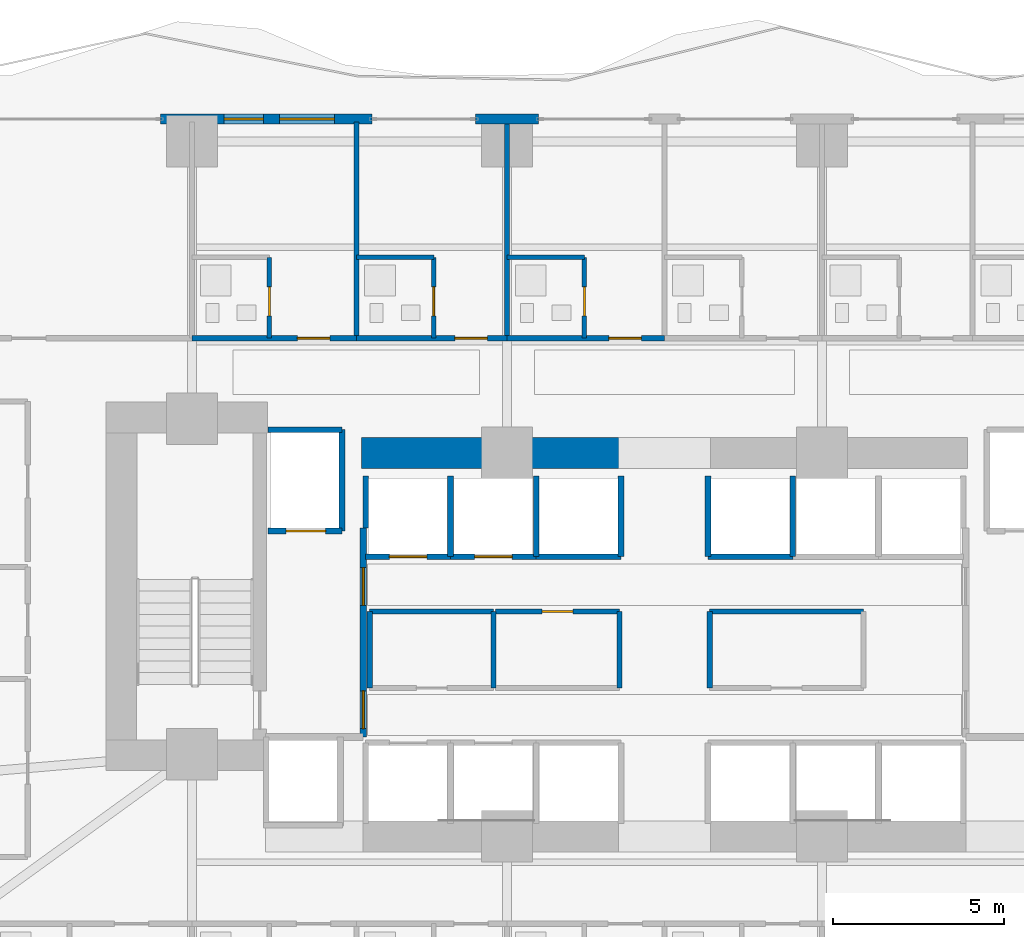
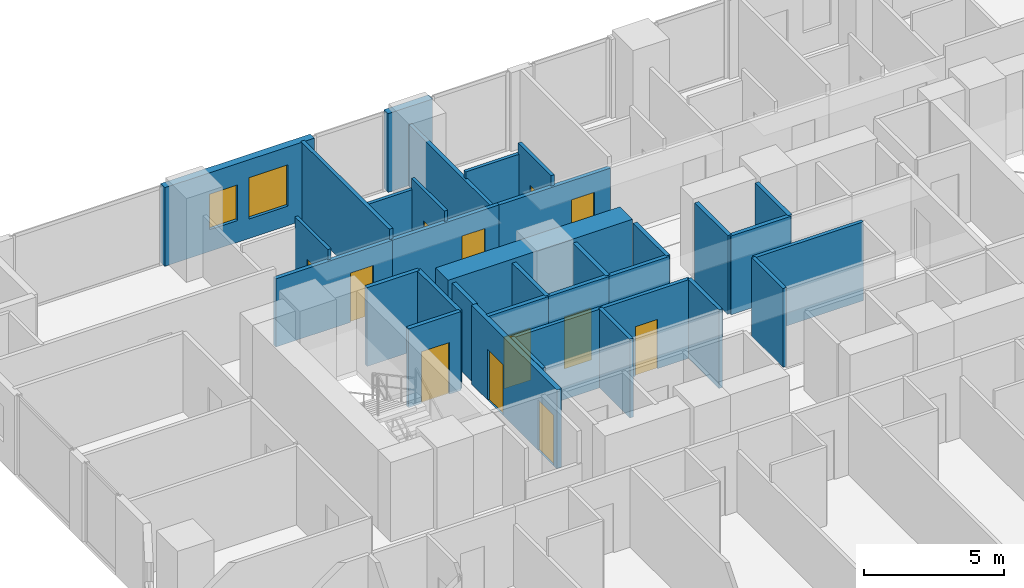
# One storey, part 22 of 29: 34 walls, 12 doors, 2 windows, 14 openings.
"""IFC4 building model written with IfcOpenShell, lengths in metres."""

from ifc_helpers import new_model, si_unit, direction, frame, frame_2d, origin, place, context, subcontext, project, spatial, rectangle, extrude, material, layer, layer_set, type_object, element, fill, save


model = new_model("IFC4")

# Units and contexts
model_context = context("Model", 3, precision=1e-05, world=origin(), true_north=direction((0.0, 1.0)))
body_context = subcontext(model_context, "Body", "Model", "MODEL_VIEW")
ifc_project = project(units=[si_unit("LENGTHUNIT", "METRE"), si_unit("AREAUNIT", "SQUARE_METRE"), si_unit("VOLUMEUNIT", "CUBIC_METRE"), si_unit("PLANEANGLEUNIT", "RADIAN"), si_unit("MASSUNIT", "GRAM", prefix="KILO")], contexts=[model_context])

# Site, building, storey
site_placement = place(None, origin())
site = spatial("IfcSite", under=ifc_project, at=site_placement, CompositionType="ELEMENT")
building_placement = place(site_placement, origin())
building = spatial("IfcBuilding", under=site, at=building_placement, Name="Zuhayl Quay Hotel", CompositionType="ELEMENT")
storey_placement = place(building_placement, frame((0.0, 0.0, 64.10009765625)))
storey = spatial("IfcBuildingStorey", under=building, at=storey_placement, Name="L15", CompositionType="ELEMENT", Elevation=64.10009765625)

# Wall
ifc_material_1 = material(Name="Concrete C70/85", Category="concrete")
ifc_layer_1 = layer(ifc_material_1, 0.89990234375, Name="Concrete C70/85", Category="concrete")
ifc_layer_set_1 = layer_set([ifc_layer_1], Name="Concrete C70/85")
wall_type_1 = type_object("IfcWallType", Name="WL_CORE_900", PredefinedType="SHEAR", material=ifc_layer_set_1)
wall_1_placement = place(storey_placement, frame((-8.85009765625, 13.35009765625, 0.0), z_axis=(0.0, 0.0, 1.0), x_axis=(1.0, 0.0, 0.0)))
element("IfcWall", 1, at=wall_1_placement, inside=storey, type_object=wall_type_1, Name="L15 Core Shear Wall CW_NC_W", PredefinedType="SHEAR", context=body_context, shape_type="SweptSolid", body=[
    extrude(rectangle(XDim=7.60009765625, YDim=0.89990234375, at=frame_2d((3.800048828125, 0.0))), origin(), (0.0, 0.0, 1.0), 3.429931640625),
])

# Wall, openings, windows
ifc_material_2 = material(Name="Precast concrete C45/55", Category="concrete")
ifc_layer_2 = layer(ifc_material_2, 0.300048828125, Name="Precast concrete C45/55", Category="concrete")
ifc_layer_set_2 = layer_set([ifc_layer_2], Name="Precast concrete C45/55")
wall_type_2 = type_object("IfcWallType", Name="WL_EXT_300", PredefinedType="STANDARD", material=ifc_layer_set_2)
wall_2_placement = place(storey_placement, frame((-14.719970703125, 23.10009765625, 0.0), z_axis=(0.0, 0.0, 1.0), x_axis=(1.0, 0.0, 0.0)))
wall_2 = element("IfcWall", 2, at=wall_2_placement, inside=storey, type_object=wall_type_2, Name="L15 Exterior Precast Wall ENV_L15_N_EW2", PredefinedType="STANDARD", context=body_context, shape_type="SweptSolid", body=[
    extrude(rectangle(XDim=6.169921875, YDim=0.300048828125, at=frame_2d((3.0849609375, 0.0))), origin(), (0.0, 0.0, 1.0), 3.429931640625),
])
opening_1_placement = place(wall_2_placement, frame((3.47998046875, 0.0, 0.85009765625)))
opening_1 = element("IfcOpeningElement", 3, at=opening_1_placement, cuts=wall_2, Name="Opening W01", PredefinedType="OPENING", context=body_context, shape_type="SweptSolid", body=[
    extrude(rectangle(XDim=1.60009765625, YDim=1.800048828125, at=frame_2d((0.800048828125, 0.89990234375))), frame((0.0, 0.159912109375, 0.0), z_axis=(0.0, -1.0, 0.0), x_axis=(1.0, 0.0, 0.0)), (0.0, 0.0, 1.0), 0.320068359375),
])
opening_2_placement = place(wall_2_placement, frame((1.85009765625, 0.0, 0.949951171875)))
opening_2 = element("IfcOpeningElement", 4, at=opening_2_placement, cuts=wall_2, Name="Opening W01N", PredefinedType="OPENING", context=body_context, shape_type="SweptSolid", body=[
    extrude(rectangle(XDim=1.14990234375, YDim=1.550048828125, at=frame_2d((0.574951171875, 0.77490234375))), frame((0.0, 0.159912109375, 0.0), z_axis=(0.0, -1.0, 0.0), x_axis=(1.0, 0.0, 0.0)), (0.0, 0.0, 1.0), 0.320068359375),
])
ifc_material_3 = material(Name="Dark Ceramic-Fritted Solar Glass", Category="glass")
window_type_1 = type_object("IfcWindowType", Name="WN_NOTCH_1350", PartitioningType="SINGLE_PANEL", PredefinedType="WINDOW", material=ifc_material_3)
window_1_placement = place(opening_2_placement, origin())
window_1 = element("IfcWindow", 5, at=window_1_placement, inside=storey, type_object=window_type_1, Name="L15 Operable Facade Window 2-1", OverallHeight=1.550048828125, OverallWidth=1.14990234375, PartitioningType="SINGLE_PANEL", PredefinedType="WINDOW", context=body_context, shape_type="SweptSolid", body=[
    extrude(rectangle(XDim=1.14990234375, YDim=1.550048828125, at=frame_2d((0.574951171875, 0.77490234375))), frame((0.0, 0.030029296875, 0.0), z_axis=(0.0, -1.0, 0.0), x_axis=(1.0, 0.0, 0.0)), (0.0, 0.0, 1.0), 0.06005859375),
])
fill(opening_2, window_1)
window_type_2 = type_object("IfcWindowType", Name="WN_OPERABLE_1600", PartitioningType="DOUBLE_PANEL_VERTICAL", PredefinedType="WINDOW", material=ifc_material_3)
window_2_placement = place(opening_1_placement, origin())
window_2 = element("IfcWindow", 6, at=window_2_placement, inside=storey, type_object=window_type_2, Name="L15 North Operable Casement Window", OverallHeight=1.800048828125, OverallWidth=1.60009765625, PartitioningType="SINGLE_PANEL", PredefinedType="WINDOW", context=body_context, shape_type="SweptSolid", body=[
    extrude(rectangle(XDim=1.60009765625, YDim=1.800048828125, at=frame_2d((0.800048828125, 0.89990234375))), frame((0.0, 0.030029296875, 0.0), z_axis=(0.0, -1.0, 0.0), x_axis=(1.0, 0.0, 0.0)), (0.0, 0.0, 1.0), 0.06005859375),
])
fill(opening_1, window_2)

# Wall
wall_3_placement = place(storey_placement, frame((-5.52001953125, 23.10009765625, 0.0), z_axis=(0.0, 0.0, 1.0), x_axis=(1.0, 0.0, 0.0)))
element("IfcWall", 7, at=wall_3_placement, inside=storey, type_object=wall_type_2, Name="L15 Exterior Precast Wall ENV_L15_N_EW3", PredefinedType="STANDARD", context=body_context, shape_type="SweptSolid", body=[
    extrude(rectangle(XDim=1.840087890625, YDim=0.300048828125, at=frame_2d((0.919921875, 0.0))), origin(), (0.0, 0.0, 1.0), 3.429931640625),
])

# Wall, opening, door
ifc_material_4 = material(Name="Acoustic Gypsum Partition STC-58")
ifc_layer_3 = layer(ifc_material_4, 0.14990234375, Name="Acoustic Gypsum Partition STC-58")
ifc_layer_set_3 = layer_set([ifc_layer_3], Name="Acoustic Gypsum Partition STC-58")
wall_type_3 = type_object("IfcWallType", Name="WL_PART_150", PredefinedType="PARTITIONING", material=ifc_layer_set_3)
wall_4_placement = place(storey_placement, frame((-4.929931640625, 8.719970703125, 0.0), z_axis=(0.0, 0.0, 1.0), x_axis=(1.0, 0.0, 0.0)))
wall_4 = element("IfcWall", 8, at=wall_4_placement, inside=storey, type_object=wall_type_3, Name="L15 Partition IW_L15_CORE_BM_N", PredefinedType="PARTITIONING", context=body_context, shape_type="SweptSolid", body=[
    extrude(rectangle(XDim=3.60986328125, YDim=0.14990234375, at=frame_2d((1.804931640625, 0.0))), origin(), (0.0, 0.0, 1.0), 3.429931640625),
])
opening_3_placement = place(wall_4_placement, frame((1.35498046875, 0.0, 0.0)))
opening_3 = element("IfcOpeningElement", 9, at=opening_3_placement, cuts=wall_4, Name="Opening D06", PredefinedType="OPENING", context=body_context, shape_type="SweptSolid", body=[
    extrude(rectangle(XDim=0.89990234375, YDim=2.14990234375, at=frame_2d((0.449951171875, 1.074951171875))), frame((0.0, 0.0849609375, 0.0), z_axis=(0.0, -1.0, 0.0), x_axis=(1.0, 0.0, 0.0)), (0.0, 0.0, 1.0), 0.169921875),
])
ifc_material_5 = material(Name="Steel ASTM A992 Grade 50", Category="steel")
door_type_1 = type_object("IfcDoorType", Name="DR_INT_900", OperationType="NOTDEFINED", PredefinedType="DOOR", material=ifc_material_5)
door_1_placement = place(opening_3_placement, origin())
door_1 = element("IfcDoor", 10, at=door_1_placement, inside=storey, type_object=door_type_1, Name="L15 Telecom and BMS Closet Door", OperationType="SINGLE_SWING_RIGHT", OverallHeight=2.14990234375, OverallWidth=0.89990234375, PredefinedType="DOOR", context=body_context, shape_type="SweptSolid", body=[
    extrude(rectangle(XDim=0.89990234375, YDim=2.14990234375, at=frame_2d((0.449951171875, 1.074951171875))), frame((0.0, 0.02490234375, 0.0), z_axis=(0.0, -1.0, 0.0), x_axis=(1.0, 0.0, 0.0)), (0.0, 0.0, 1.0), 0.050048828125),
])
fill(opening_3, door_1)

# Walls
wall_5_placement = place(storey_placement, frame((-8.610107421875, 8.719970703125, 0.0), z_axis=(0.0, 0.0, 1.0), x_axis=(1.0, 0.0, 0.0)))
element("IfcWall", 11, at=wall_5_placement, inside=storey, type_object=wall_type_3, Name="L15 Partition IW_L15_CORE_SW_N", PredefinedType="PARTITIONING", context=body_context, shape_type="SweptSolid", body=[
    extrude(rectangle(XDim=3.6201171875, YDim=0.14990234375, at=frame_2d((1.81005859375, 0.0))), origin(), (0.0, 0.0, 1.0), 3.429931640625),
])
for number, where, z_axis, x_axis, name in (
    (12, (-8.610107421875, 6.47998046875, 0.0), (0.0, 0.0, 1.0), (0.0, 1.0, 0.0), "L15 Partition IW_L15_CORE_SW_W"),
    (13, (-4.989990234375, 6.47998046875, 0.0), (0.0, 0.0, 1.0), (0.0, 1.0, 0.0), "L15 Partition IW_L15_CORE_SW_E"),
    (14, (-1.320068359375, 6.47998046875, 0.0), (0.0, 0.0, 1.0), (0.0, 1.0, 0.0), "L15 Partition IW_L15_CORE_BM_E"),
):
    element("IfcWall", number, at=place(storey_placement, frame(where, z_axis=z_axis, x_axis=x_axis)), inside=storey, type_object=wall_type_3, Name=name, PredefinedType="PARTITIONING", context=body_context, shape_type="SweptSolid", body=[
        extrude(rectangle(XDim=2.239990234375, YDim=0.14990234375, at=frame_2d((1.1201171875, 0.0))), origin(), (0.0, 0.0, 1.0), 3.429931640625),
    ])
wall_6_placement = place(storey_placement, frame((1.320068359375, 8.719970703125, 0.0), z_axis=(0.0, 0.0, 1.0), x_axis=(1.0, 0.0, 0.0)))
element("IfcWall", 15, at=wall_6_placement, inside=storey, type_object=wall_type_3, Name="L15 Partition IW_L15_CORE_PN_N", PredefinedType="PARTITIONING", context=body_context, shape_type="SweptSolid", body=[
    extrude(rectangle(XDim=4.489990234375, YDim=0.14990234375, at=frame_2d((2.2451171875, 0.0))), origin(), (0.0, 0.0, 1.0), 3.429931640625),
])
wall_7_placement = place(storey_placement, frame((1.320068359375, 6.47998046875, 0.0), z_axis=(0.0, 0.0, 1.0), x_axis=(0.0, 1.0, 0.0)))
element("IfcWall", 16, at=wall_7_placement, inside=storey, type_object=wall_type_3, Name="L15 Partition IW_L15_CORE_PN_W", PredefinedType="PARTITIONING", context=body_context, shape_type="SweptSolid", body=[
    extrude(rectangle(XDim=2.239990234375, YDim=0.14990234375, at=frame_2d((1.1201171875, 0.0))), origin(), (0.0, 0.0, 1.0), 3.429931640625),
])
wall_8_placement = place(storey_placement, frame((-9.0, 16.699951171875, 0.0), z_axis=(0.0, 0.0, 1.0), x_axis=(0.0, 1.0, 0.0)))
element("IfcWall", 17, at=wall_8_placement, inside=storey, type_object=wall_type_3, Name="L15 Partition IW_L15_NU02_E", PredefinedType="PARTITIONING", context=body_context, shape_type="SweptSolid", body=[
    extrude(rectangle(XDim=6.320068359375, YDim=0.14990234375, at=frame_2d((3.16015625, 0.0))), origin(), (0.0, 0.0, 1.0), 3.429931640625),
])
wall_9_placement = place(storey_placement, frame((-4.60009765625, 16.699951171875, 0.0), z_axis=(0.0, 0.0, 1.0), x_axis=(0.0, 1.0, 0.0)))
element("IfcWall", 18, at=wall_9_placement, inside=storey, type_object=wall_type_3, Name="L15 Partition IW_L15_NU03_E", PredefinedType="PARTITIONING", context=body_context, shape_type="SweptSolid", body=[
    extrude(rectangle(XDim=6.320068359375, YDim=0.14990234375, at=frame_2d((3.16015625, 0.0))), origin(), (0.0, 0.0, 1.0), 2.66796875),
])

# Wall, opening, door
ifc_layer_4 = layer(ifc_material_4, 0.159912109375, Name="Acoustic Gypsum Partition STC-58")
ifc_layer_set_4 = layer_set([ifc_layer_4], Name="Acoustic Gypsum Partition STC-58")
wall_type_4 = type_object("IfcWallType", Name="WL_PART_CORR_160", PredefinedType="PARTITIONING", material=ifc_layer_set_4)
wall_10_placement = place(storey_placement, frame((-13.800048828125, 16.699951171875, 0.0), z_axis=(0.0, 0.0, 1.0), x_axis=(1.0, 0.0, 0.0)))
wall_10 = element("IfcWall", 19, at=wall_10_placement, inside=storey, type_object=wall_type_4, Name="L15 Partition IW_L15_NU02_COR", PredefinedType="PARTITIONING", context=body_context, shape_type="SweptSolid", body=[
    extrude(rectangle(XDim=4.800048828125, YDim=0.159912109375, at=frame_2d((2.39990234375, 0.0))), origin(), (0.0, 0.0, 1.0), 2.972900390625),
])
opening_4_placement = place(wall_10_placement, frame((3.074951171875, 0.0, 0.0)))
opening_4 = element("IfcOpeningElement", 20, at=opening_4_placement, cuts=wall_10, Name="Opening D03", PredefinedType="OPENING", context=body_context, shape_type="SweptSolid", body=[
    extrude(rectangle(XDim=0.949951171875, YDim=2.14990234375, at=frame_2d((0.47509765625, 1.074951171875))), frame((0.0, 0.08984375, 0.0), z_axis=(0.0, -1.0, 0.0), x_axis=(1.0, 0.0, 0.0)), (0.0, 0.0, 1.0), 0.179931640625),
])
ifc_material_6 = material(Name="Solid Walnut Acoustic Fire Door")
door_type_2 = type_object("IfcDoorType", Name="DR_SUITE_950", OperationType="NOTDEFINED", PredefinedType="DOOR", material=ifc_material_6)
door_2_placement = place(opening_4_placement, origin())
door_2 = element("IfcDoor", 21, at=door_2_placement, inside=storey, type_object=door_type_2, Name="L15 Deluxe Gulf Guest Room L15-02 Entrance Door", OperationType="SINGLE_SWING_LEFT", OverallHeight=2.14990234375, OverallWidth=0.949951171875, PredefinedType="DOOR", context=body_context, shape_type="SweptSolid", body=[
    extrude(rectangle(XDim=0.949951171875, YDim=2.14990234375, at=frame_2d((0.47509765625, 1.074951171875))), frame((0.0, 0.02490234375, 0.0), z_axis=(0.0, -1.0, 0.0), x_axis=(1.0, 0.0, 0.0)), (0.0, 0.0, 1.0), 0.050048828125),
])
fill(opening_4, door_2)

wall_11_placement = place(storey_placement, frame((-9.0, 16.699951171875, 0.0), z_axis=(0.0, 0.0, 1.0), x_axis=(1.0, 0.0, 0.0)))
wall_11 = element("IfcWall", 22, at=wall_11_placement, inside=storey, type_object=wall_type_4, Name="L15 Partition IW_L15_NU03_COR", PredefinedType="PARTITIONING", context=body_context, shape_type="SweptSolid", body=[
    extrude(rectangle(XDim=4.39990234375, YDim=0.159912109375, at=frame_2d((2.199951171875, 0.0))), origin(), (0.0, 0.0, 1.0), 2.972900390625),
])
opening_5_placement = place(wall_11_placement, frame((2.875, 0.0, 0.0)))
opening_5 = element("IfcOpeningElement", 23, at=opening_5_placement, cuts=wall_11, Name="Opening D03", PredefinedType="OPENING", context=body_context, shape_type="SweptSolid", body=[
    extrude(rectangle(XDim=0.949951171875, YDim=2.14990234375, at=frame_2d((0.47509765625, 1.074951171875))), frame((0.0, 0.08984375, 0.0), z_axis=(0.0, -1.0, 0.0), x_axis=(1.0, 0.0, 0.0)), (0.0, 0.0, 1.0), 0.179931640625),
])
door_3_placement = place(opening_5_placement, origin())
door_3 = element("IfcDoor", 24, at=door_3_placement, inside=storey, type_object=door_type_2, Name="L15 Deluxe Gulf Guest Room L15-03 Entrance Door", OperationType="SINGLE_SWING_LEFT", OverallHeight=2.14990234375, OverallWidth=0.949951171875, PredefinedType="DOOR", context=body_context, shape_type="SweptSolid", body=[
    extrude(rectangle(XDim=0.949951171875, YDim=2.14990234375, at=frame_2d((0.47509765625, 1.074951171875))), frame((0.0, 0.02490234375, 0.0), z_axis=(0.0, -1.0, 0.0), x_axis=(1.0, 0.0, 0.0)), (0.0, 0.0, 1.0), 0.050048828125),
])
fill(opening_5, door_3)

wall_12_placement = place(storey_placement, frame((-4.60009765625, 16.699951171875, 0.0), z_axis=(0.0, 0.0, 1.0), x_axis=(1.0, 0.0, 0.0)))
wall_12 = element("IfcWall", 25, at=wall_12_placement, inside=storey, type_object=wall_type_4, Name="L15 Partition IW_L15_NU04_COR", PredefinedType="PARTITIONING", context=body_context, shape_type="SweptSolid", body=[
    extrude(rectangle(XDim=4.60009765625, YDim=0.159912109375, at=frame_2d((2.300048828125, 0.0))), origin(), (0.0, 0.0, 1.0), 2.972900390625),
])
opening_6_placement = place(wall_12_placement, frame((2.97509765625, 0.0, 0.0)))
opening_6 = element("IfcOpeningElement", 26, at=opening_6_placement, cuts=wall_12, Name="Opening D03", PredefinedType="OPENING", context=body_context, shape_type="SweptSolid", body=[
    extrude(rectangle(XDim=0.949951171875, YDim=2.14990234375, at=frame_2d((0.47509765625, 1.074951171875))), frame((0.0, 0.08984375, 0.0), z_axis=(0.0, -1.0, 0.0), x_axis=(1.0, 0.0, 0.0)), (0.0, 0.0, 1.0), 0.179931640625),
])
door_4_placement = place(opening_6_placement, origin())
door_4 = element("IfcDoor", 27, at=door_4_placement, inside=storey, type_object=door_type_2, Name="L15 Deluxe Gulf Guest Room L15-04 Entrance Door", OperationType="SINGLE_SWING_LEFT", OverallHeight=2.14990234375, OverallWidth=0.949951171875, PredefinedType="DOOR", context=body_context, shape_type="SweptSolid", body=[
    extrude(rectangle(XDim=0.949951171875, YDim=2.14990234375, at=frame_2d((0.47509765625, 1.074951171875))), frame((0.0, 0.02490234375, 0.0), z_axis=(0.0, -1.0, 0.0), x_axis=(1.0, 0.0, 0.0)), (0.0, 0.0, 1.0), 0.050048828125),
])
fill(opening_6, door_4)

ifc_material_7 = material(Name="Moisture-Resistant Sanitarychase Gypsum")
ifc_layer_5 = layer(ifc_material_7, 0.135009765625, Name="Moisture-Resistant Sanitarychase Gypsum")
ifc_layer_set_5 = layer_set([ifc_layer_5], Name="Moisture-Resistant Sanitarychase Gypsum")
wall_type_5 = type_object("IfcWallType", Name="WL_PART_PLUMB_150", PredefinedType="PLUMBINGWALL", material=ifc_layer_set_5)
wall_13_placement = place(storey_placement, frame((-11.5400390625, 16.699951171875, 0.0), z_axis=(0.0, 0.0, 1.0), x_axis=(0.0, 1.0, 0.0)))
wall_13 = element("IfcWall", 28, at=wall_13_placement, inside=storey, type_object=wall_type_5, Name="L15 Partition IW_L15_NU02_BE", PredefinedType="PLUMBINGWALL", context=body_context, shape_type="SweptSolid", body=[
    extrude(rectangle(XDim=2.360107421875, YDim=0.135009765625, at=frame_2d((1.18017578125, 0.0))), origin(), (0.0, 0.0, 1.0), 3.429931640625),
])
opening_7_placement = place(wall_13_placement, frame((0.64990234375, 0.0, 0.0)))
opening_7 = element("IfcOpeningElement", 29, at=opening_7_placement, cuts=wall_13, Name="Opening D04", PredefinedType="OPENING", context=body_context, shape_type="SweptSolid", body=[
    extrude(rectangle(XDim=0.85009765625, YDim=2.10009765625, at=frame_2d((0.425048828125, 1.050048828125))), frame((0.0, 0.077392578125, 0.0), z_axis=(0.0, -1.0, 0.0), x_axis=(1.0, 0.0, 0.0)), (0.0, 0.0, 1.0), 0.155029296875),
])
ifc_material_8 = material(Name="Moisture-Resistant Walnut Veneer")
door_type_3 = type_object("IfcDoorType", Name="DR_BATH_850", OperationType="NOTDEFINED", PredefinedType="DOOR", material=ifc_material_8)
door_5_placement = place(opening_7_placement, origin())
door_5 = element("IfcDoor", 30, at=door_5_placement, inside=storey, type_object=door_type_3, Name="L15 Deluxe Gulf Guest Room L15-02 En-Suite Door", OperationType="SINGLE_SWING_RIGHT", OverallHeight=2.10009765625, OverallWidth=0.85009765625, PredefinedType="DOOR", context=body_context, shape_type="SweptSolid", body=[
    extrude(rectangle(XDim=0.85009765625, YDim=2.10009765625, at=frame_2d((0.425048828125, 1.050048828125))), frame((0.0, 0.02490234375, 0.0), z_axis=(0.0, -1.0, 0.0), x_axis=(1.0, 0.0, 0.0)), (0.0, 0.0, 1.0), 0.050048828125),
])
fill(opening_7, door_5)

wall_14_placement = place(storey_placement, frame((-6.739990234375, 16.699951171875, 0.0), z_axis=(0.0, 0.0, 1.0), x_axis=(0.0, 1.0, 0.0)))
wall_14 = element("IfcWall", 31, at=wall_14_placement, inside=storey, type_object=wall_type_5, Name="L15 Partition IW_L15_NU03_BE", PredefinedType="PLUMBINGWALL", context=body_context, shape_type="SweptSolid", body=[
    extrude(rectangle(XDim=2.360107421875, YDim=0.135009765625, at=frame_2d((1.18017578125, 0.0))), origin(), (0.0, 0.0, 1.0), 3.429931640625),
])
opening_8_placement = place(wall_14_placement, frame((0.64990234375, 0.0, 0.0)))
opening_8 = element("IfcOpeningElement", 32, at=opening_8_placement, cuts=wall_14, Name="Opening D04", PredefinedType="OPENING", context=body_context, shape_type="SweptSolid", body=[
    extrude(rectangle(XDim=0.85009765625, YDim=2.10009765625, at=frame_2d((0.425048828125, 1.050048828125))), frame((0.0, 0.077392578125, 0.0), z_axis=(0.0, -1.0, 0.0), x_axis=(1.0, 0.0, 0.0)), (0.0, 0.0, 1.0), 0.155029296875),
])
door_6_placement = place(opening_8_placement, origin())
door_6 = element("IfcDoor", 33, at=door_6_placement, inside=storey, type_object=door_type_3, Name="L15 Deluxe Gulf Guest Room L15-03 En-Suite Door", OperationType="SINGLE_SWING_RIGHT", OverallHeight=2.10009765625, OverallWidth=0.85009765625, PredefinedType="DOOR", context=body_context, shape_type="SweptSolid", body=[
    extrude(rectangle(XDim=0.85009765625, YDim=2.10009765625, at=frame_2d((0.425048828125, 1.050048828125))), frame((0.0, 0.02490234375, 0.0), z_axis=(0.0, -1.0, 0.0), x_axis=(1.0, 0.0, 0.0)), (0.0, 0.0, 1.0), 0.050048828125),
])
fill(opening_8, door_6)

wall_15_placement = place(storey_placement, frame((-2.340087890625, 16.699951171875, 0.0), z_axis=(0.0, 0.0, 1.0), x_axis=(0.0, 1.0, 0.0)))
wall_15 = element("IfcWall", 34, at=wall_15_placement, inside=storey, type_object=wall_type_5, Name="L15 Partition IW_L15_NU04_BE", PredefinedType="PLUMBINGWALL", context=body_context, shape_type="SweptSolid", body=[
    extrude(rectangle(XDim=2.360107421875, YDim=0.135009765625, at=frame_2d((1.18017578125, 0.0))), origin(), (0.0, 0.0, 1.0), 3.429931640625),
])
opening_9_placement = place(wall_15_placement, frame((0.64990234375, 0.0, 0.0)))
opening_9 = element("IfcOpeningElement", 35, at=opening_9_placement, cuts=wall_15, Name="Opening D04", PredefinedType="OPENING", context=body_context, shape_type="SweptSolid", body=[
    extrude(rectangle(XDim=0.85009765625, YDim=2.10009765625, at=frame_2d((0.425048828125, 1.050048828125))), frame((0.0, 0.077392578125, 0.0), z_axis=(0.0, -1.0, 0.0), x_axis=(1.0, 0.0, 0.0)), (0.0, 0.0, 1.0), 0.155029296875),
])
door_7_placement = place(opening_9_placement, origin())
door_7 = element("IfcDoor", 36, at=door_7_placement, inside=storey, type_object=door_type_3, Name="L15 Deluxe Gulf Guest Room L15-04 En-Suite Door", OperationType="SINGLE_SWING_RIGHT", OverallHeight=2.10009765625, OverallWidth=0.85009765625, PredefinedType="DOOR", context=body_context, shape_type="SweptSolid", body=[
    extrude(rectangle(XDim=0.85009765625, YDim=2.10009765625, at=frame_2d((0.425048828125, 1.050048828125))), frame((0.0, 0.02490234375, 0.0), z_axis=(0.0, -1.0, 0.0), x_axis=(1.0, 0.0, 0.0)), (0.0, 0.0, 1.0), 0.050048828125),
])
fill(opening_9, door_7)

# Walls
for number, where, z_axis, x_axis, name in (
    (37, (-9.0, 19.06005859375, 0.0), (0.0, 0.0, 1.0), (1.0, 0.0, 0.0), "L15 Partition IW_L15_NU03_BN"),
    (38, (-4.60009765625, 19.06005859375, 0.0), (0.0, 0.0, 1.0), (1.0, 0.0, 0.0), "L15 Partition IW_L15_NU04_BN"),
):
    element("IfcWall", number, at=place(storey_placement, frame(where, z_axis=z_axis, x_axis=x_axis)), inside=storey, type_object=wall_type_5, Name=name, PredefinedType="PLUMBINGWALL", context=body_context, shape_type="SweptSolid", body=[
        extrude(rectangle(XDim=2.260009765625, YDim=0.135009765625, at=frame_2d((1.1298828125, 0.0))), origin(), (0.0, 0.0, 1.0), 2.972900390625),
    ])

# Wall, opening, door
ifc_material_9 = material(Name="Gypsum Fireboard Assembly EI-90")
ifc_layer_6 = layer(ifc_material_9, 0.1650390625, Name="Gypsum Fireboard Assembly EI-90")
ifc_layer_set_6 = layer_set([ifc_layer_6], Name="Gypsum Fireboard Assembly EI-90")
wall_type_6 = type_object("IfcWallType", Name="WL_PART_SHAFT_160", PredefinedType="PARTITIONING", material=ifc_layer_set_6)
wall_16_placement = place(storey_placement, frame((-11.580078125, 11.070068359375, 0.0), z_axis=(0.0, 0.0, 1.0), x_axis=(1.0, 0.0, 0.0)))
wall_16 = element("IfcWall", 39, at=wall_16_placement, inside=storey, type_object=wall_type_6, Name="L15 Partition IW_L15_SH_FL1_F", PredefinedType="PARTITIONING", context=body_context, shape_type="SweptSolid", body=[
    extrude(rectangle(XDim=2.16015625, YDim=0.1650390625, at=frame_2d((1.080078125, 0.0))), origin(), (0.0, 0.0, 1.0), 3.429931640625),
])
opening_10_placement = place(wall_16_placement, frame((0.530029296875, 0.0, 0.0)))
opening_10 = element("IfcOpeningElement", 40, at=opening_10_placement, cuts=wall_16, Name="Opening LD2", PredefinedType="OPENING", context=body_context, shape_type="SweptSolid", body=[
    extrude(rectangle(XDim=1.14990234375, YDim=2.25, at=frame_2d((0.574951171875, 1.125))), frame((0.0, 0.092529296875, 0.0), z_axis=(0.0, -1.0, 0.0), x_axis=(1.0, 0.0, 0.0)), (0.0, 0.0, 1.0), 0.18505859375),
])
ifc_material_10 = material(Name="Brushed Stainless Steel", Category="steel")
door_type_4 = type_object("IfcDoorType", Name="DR_LIFT_FF_1100", OperationType="SLIDING_TO_LEFT", PredefinedType="DOOR", material=ifc_material_10)
door_8_placement = place(opening_10_placement, origin())
door_8 = element("IfcDoor", 41, at=door_8_placement, inside=storey, type_object=door_type_4, Name="L15 Lift FL1 Sliding Landing Door", OperationType="SLIDING_TO_LEFT", OverallHeight=2.25, OverallWidth=1.14990234375, PredefinedType="DOOR", context=body_context, shape_type="SweptSolid", body=[
    extrude(rectangle(XDim=1.14990234375, YDim=2.25, at=frame_2d((0.574951171875, 1.125))), frame((0.0, 0.02490234375, 0.0), z_axis=(0.0, -1.0, 0.0), x_axis=(1.0, 0.0, 0.0)), (0.0, 0.0, 1.0), 0.050048828125),
])
fill(opening_10, door_8)

wall_17_placement = place(storey_placement, frame((-8.72998046875, 10.320068359375, 0.0), z_axis=(0.0, 0.0, 1.0), x_axis=(1.0, 0.0, 0.0)))
wall_17 = element("IfcWall", 42, at=wall_17_placement, inside=storey, type_object=wall_type_6, Name="L15 Partition IW_L15_SH_LP3_F", PredefinedType="PARTITIONING", context=body_context, shape_type="SweptSolid", body=[
    extrude(rectangle(XDim=2.47998046875, YDim=0.1650390625, at=frame_2d((1.239990234375, 0.0))), origin(), (0.0, 0.0, 1.0), 3.429931640625),
])
opening_11_placement = place(wall_17_placement, frame((0.68994140625, 0.0, 0.0)))
opening_11 = element("IfcOpeningElement", 43, at=opening_11_placement, cuts=wall_17, Name="Opening LD1", PredefinedType="OPENING", context=body_context, shape_type="SweptSolid", body=[
    extrude(rectangle(XDim=1.10009765625, YDim=2.25, at=frame_2d((0.550048828125, 1.125))), frame((0.0, 0.092529296875, 0.0), z_axis=(0.0, -1.0, 0.0), x_axis=(1.0, 0.0, 0.0)), (0.0, 0.0, 1.0), 0.18505859375),
])
door_type_5 = type_object("IfcDoorType", Name="DR_LIFT_PASS_1100", OperationType="SLIDING_TO_LEFT", PredefinedType="DOOR", material=ifc_material_10)
door_9_placement = place(opening_11_placement, origin())
door_9 = element("IfcDoor", 44, at=door_9_placement, inside=storey, type_object=door_type_5, Name="L15 Lift LP3 Sliding Landing Door", OperationType="SLIDING_TO_LEFT", OverallHeight=2.25, OverallWidth=1.10009765625, PredefinedType="DOOR", context=body_context, shape_type="SweptSolid", body=[
    extrude(rectangle(XDim=1.10009765625, YDim=2.25, at=frame_2d((0.550048828125, 1.125))), frame((0.0, 0.02490234375, 0.0), z_axis=(0.0, -1.0, 0.0), x_axis=(1.0, 0.0, 0.0)), (0.0, 0.0, 1.0), 0.050048828125),
])
fill(opening_11, door_9)

wall_18_placement = place(storey_placement, frame((-6.25, 10.320068359375, 0.0), z_axis=(0.0, 0.0, 1.0), x_axis=(1.0, 0.0, 0.0)))
wall_18 = element("IfcWall", 45, at=wall_18_placement, inside=storey, type_object=wall_type_6, Name="L15 Partition IW_L15_SH_LP4_F", PredefinedType="PARTITIONING", context=body_context, shape_type="SweptSolid", body=[
    extrude(rectangle(XDim=2.5, YDim=0.1650390625, at=frame_2d((1.25, 0.0))), origin(), (0.0, 0.0, 1.0), 3.429931640625),
])
opening_12_placement = place(wall_18_placement, frame((0.699951171875, 0.0, 0.0)))
opening_12 = element("IfcOpeningElement", 46, at=opening_12_placement, cuts=wall_18, Name="Opening LD1", PredefinedType="OPENING", context=body_context, shape_type="SweptSolid", body=[
    extrude(rectangle(XDim=1.10009765625, YDim=2.25, at=frame_2d((0.550048828125, 1.125))), frame((0.0, 0.092529296875, 0.0), z_axis=(0.0, -1.0, 0.0), x_axis=(1.0, 0.0, 0.0)), (0.0, 0.0, 1.0), 0.18505859375),
])
door_10_placement = place(opening_12_placement, origin())
door_10 = element("IfcDoor", 47, at=door_10_placement, inside=storey, type_object=door_type_5, Name="L15 Lift LP4 Sliding Landing Door", OperationType="SLIDING_TO_LEFT", OverallHeight=2.25, OverallWidth=1.10009765625, PredefinedType="DOOR", context=body_context, shape_type="SweptSolid", body=[
    extrude(rectangle(XDim=1.10009765625, YDim=2.25, at=frame_2d((0.550048828125, 1.125))), frame((0.0, 0.02490234375, 0.0), z_axis=(0.0, -1.0, 0.0), x_axis=(1.0, 0.0, 0.0)), (0.0, 0.0, 1.0), 0.050048828125),
])
fill(opening_12, door_10)

# Walls
wall_19_placement = place(storey_placement, frame((-9.419921875, 11.070068359375, 0.0), z_axis=(0.0, 0.0, 1.0), x_axis=(0.0, 1.0, 0.0)))
element("IfcWall", 48, at=wall_19_placement, inside=storey, type_object=wall_type_6, Name="L15 Partition IW_L15_SH_FL1_E", PredefinedType="PARTITIONING", context=body_context, shape_type="SweptSolid", body=[
    extrude(rectangle(XDim=2.9599609375, YDim=0.1650390625, at=frame_2d((1.47998046875, 0.0))), origin(), (0.0, 0.0, 1.0), 3.429931640625),
])
wall_20_placement = place(storey_placement, frame((-11.580078125, 14.030029296875, 0.0), z_axis=(0.0, 0.0, 1.0), x_axis=(1.0, 0.0, 0.0)))
element("IfcWall", 49, at=wall_20_placement, inside=storey, type_object=wall_type_6, Name="L15 Partition IW_L15_SH_FL1_B", PredefinedType="PARTITIONING", context=body_context, shape_type="SweptSolid", body=[
    extrude(rectangle(XDim=2.16015625, YDim=0.1650390625, at=frame_2d((1.080078125, 0.0))), origin(), (0.0, 0.0, 1.0), 3.429931640625),
])
wall_21_placement = place(storey_placement, frame((-8.72998046875, 11.14990234375, 0.0), z_axis=(0.0, 0.0, 1.0), x_axis=(0.0, 1.0, 0.0)))
element("IfcWall", 50, at=wall_21_placement, inside=storey, type_object=wall_type_6, Name="L15 Partition IW_L15_SH_LP3_W", PredefinedType="PARTITIONING", context=body_context, shape_type="SweptSolid", body=[
    extrude(rectangle(XDim=1.530029296875, YDim=0.1650390625, at=frame_2d((0.76513671875, 0.0))), origin(), (0.0, 0.0, 1.0), 3.429931640625),
])
for number, where, z_axis, x_axis, name in (
    (51, (-6.25, 10.320068359375, 0.0), (0.0, 0.0, 1.0), (0.0, 1.0, 0.0), "L15 Partition IW_L15_SH_LP3_E"),
    (52, (-3.75, 10.320068359375, 0.0), (0.0, 0.0, 1.0), (0.0, 1.0, 0.0), "L15 Partition IW_L15_SH_LP4_E"),
):
    element("IfcWall", number, at=place(storey_placement, frame(where, z_axis=z_axis, x_axis=x_axis)), inside=storey, type_object=wall_type_6, Name=name, PredefinedType="PARTITIONING", context=body_context, shape_type="SweptSolid", body=[
        extrude(rectangle(XDim=2.35986328125, YDim=0.1650390625, at=frame_2d((1.179931640625, 0.0))), origin(), (0.0, 0.0, 1.0), 3.429931640625),
    ])
wall_22_placement = place(storey_placement, frame((-3.75, 10.320068359375, 0.0), z_axis=(0.0, 0.0, 1.0), x_axis=(1.0, 0.0, 0.0)))
element("IfcWall", 53, at=wall_22_placement, inside=storey, type_object=wall_type_6, Name="L15 Partition IW_L15_SH_MP3_F", PredefinedType="PARTITIONING", context=body_context, shape_type="SweptSolid", body=[
    extrude(rectangle(XDim=2.47998046875, YDim=0.1650390625, at=frame_2d((1.239990234375, 0.0))), origin(), (0.0, 0.0, 1.0), 3.429931640625),
])
wall_23_placement = place(storey_placement, frame((-1.27001953125, 10.320068359375, 0.0), z_axis=(0.0, 0.0, 1.0), x_axis=(0.0, 1.0, 0.0)))
element("IfcWall", 54, at=wall_23_placement, inside=storey, type_object=wall_type_6, Name="L15 Partition IW_L15_SH_MP3_E", PredefinedType="PARTITIONING", context=body_context, shape_type="SweptSolid", body=[
    extrude(rectangle(XDim=2.35986328125, YDim=0.1650390625, at=frame_2d((1.179931640625, 0.0))), origin(), (0.0, 0.0, 1.0), 3.429931640625),
])
wall_24_placement = place(storey_placement, frame((1.27001953125, 10.320068359375, 0.0), z_axis=(0.0, 0.0, 1.0), x_axis=(1.0, 0.0, 0.0)))
element("IfcWall", 55, at=wall_24_placement, inside=storey, type_object=wall_type_6, Name="L15 Partition IW_L15_SH_MP4_F", PredefinedType="PARTITIONING", context=body_context, shape_type="SweptSolid", body=[
    extrude(rectangle(XDim=2.47998046875, YDim=0.1650390625, at=frame_2d((1.239990234375, 0.0))), origin(), (0.0, 0.0, 1.0), 3.429931640625),
])
for number, where, z_axis, x_axis, name in (
    (56, (1.27001953125, 10.320068359375, 0.0), (0.0, 0.0, 1.0), (0.0, 1.0, 0.0), "L15 Partition IW_L15_SH_MP4_W"),
    (57, (3.75, 10.320068359375, 0.0), (0.0, 0.0, 1.0), (0.0, 1.0, 0.0), "L15 Partition IW_L15_SH_MP4_E"),
):
    element("IfcWall", number, at=place(storey_placement, frame(where, z_axis=z_axis, x_axis=x_axis)), inside=storey, type_object=wall_type_6, Name=name, PredefinedType="PARTITIONING", context=body_context, shape_type="SweptSolid", body=[
        extrude(rectangle(XDim=2.35986328125, YDim=0.1650390625, at=frame_2d((1.179931640625, 0.0))), origin(), (0.0, 0.0, 1.0), 3.429931640625),
    ])

# Wall, openings, doors
ifc_material_11 = material(Name="Gypsum Fireboard Assembly EI-120")
ifc_layer_7 = layer(ifc_material_11, 0.199951171875, Name="Gypsum Fireboard Assembly EI-120")
ifc_layer_set_7 = layer_set([ifc_layer_7], Name="Gypsum Fireboard Assembly EI-120")
wall_type_7 = type_object("IfcWallType", Name="WL_PART_SHAFT_200", PredefinedType="PARTITIONING", material=ifc_layer_set_7)
wall_25_placement = place(storey_placement, frame((-8.800048828125, 5.050048828125, 0.0), z_axis=(0.0, 0.0, 1.0), x_axis=(0.0, 1.0, 0.0)))
wall_25 = element("IfcWall", 58, at=wall_25_placement, inside=storey, type_object=wall_type_7, Name="L15 Partition IW_L15_FSAE_W_E", PredefinedType="PARTITIONING", context=body_context, shape_type="SweptSolid", body=[
    extrude(rectangle(XDim=6.099853515625, YDim=0.199951171875, at=frame_2d((3.0498046875, 0.0))), origin(), (0.0, 0.0, 1.0), 3.429931640625),
])
opening_13_placement = place(wall_25_placement, frame((0.25, 0.0, 0.0)))
opening_13 = element("IfcOpeningElement", 59, at=opening_13_placement, cuts=wall_25, Name="Opening D02", PredefinedType="OPENING", context=body_context, shape_type="SweptSolid", body=[
    extrude(rectangle(XDim=1.10009765625, YDim=2.199951171875, at=frame_2d((0.550048828125, 1.10009765625))), frame((0.0, 0.10986328125, 0.0), z_axis=(0.0, -1.0, 0.0), x_axis=(1.0, 0.0, 0.0)), (0.0, 0.0, 1.0), 0.219970703125),
])
opening_14_placement = place(wall_25_placement, frame((3.85009765625, 0.0, 0.0)))
opening_14 = element("IfcOpeningElement", 60, at=opening_14_placement, cuts=wall_25, Name="Opening D02", PredefinedType="OPENING", context=body_context, shape_type="SweptSolid", body=[
    extrude(rectangle(XDim=1.10009765625, YDim=2.199951171875, at=frame_2d((0.550048828125, 1.10009765625))), frame((0.0, 0.10986328125, 0.0), z_axis=(0.0, -1.0, 0.0), x_axis=(1.0, 0.0, 0.0)), (0.0, 0.0, 1.0), 0.219970703125),
])
door_type_6 = type_object("IfcDoorType", Name="DR_FIRE_90_1100", OperationType="NOTDEFINED", PredefinedType="DOOR", material=ifc_material_5)
door_11_placement = place(opening_13_placement, origin())
door_11 = element("IfcDoor", 61, at=door_11_placement, inside=storey, type_object=door_type_6, Name="L15 FSAE Lobby West South Entry Door", OperationType="SINGLE_SWING_LEFT", OverallHeight=2.199951171875, OverallWidth=1.10009765625, PredefinedType="DOOR", context=body_context, shape_type="SweptSolid", body=[
    extrude(rectangle(XDim=1.10009765625, YDim=2.199951171875, at=frame_2d((0.550048828125, 1.10009765625))), frame((0.0, 0.02490234375, 0.0), z_axis=(0.0, -1.0, 0.0), x_axis=(1.0, 0.0, 0.0)), (0.0, 0.0, 1.0), 0.050048828125),
])
fill(opening_13, door_11)
door_12_placement = place(opening_14_placement, origin())
door_12 = element("IfcDoor", 62, at=door_12_placement, inside=storey, type_object=door_type_6, Name="L15 FSAE Lobby West North Entry Door", OperationType="SINGLE_SWING_RIGHT", OverallHeight=2.199951171875, OverallWidth=1.10009765625, PredefinedType="DOOR", context=body_context, shape_type="SweptSolid", body=[
    extrude(rectangle(XDim=1.10009765625, YDim=2.199951171875, at=frame_2d((0.550048828125, 1.10009765625))), frame((0.0, 0.02490234375, 0.0), z_axis=(0.0, -1.0, 0.0), x_axis=(1.0, 0.0, 0.0)), (0.0, 0.0, 1.0), 0.050048828125),
])
fill(opening_14, door_12)

save(model, "model.ifc")
